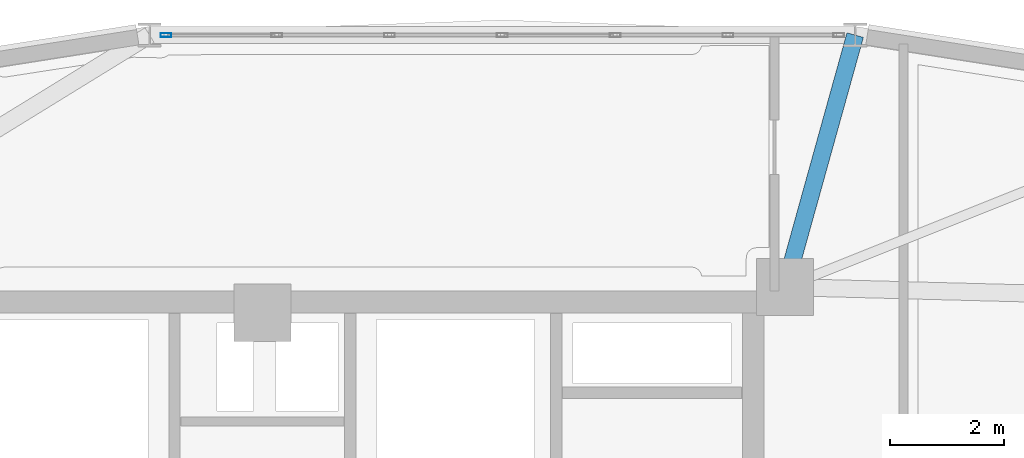
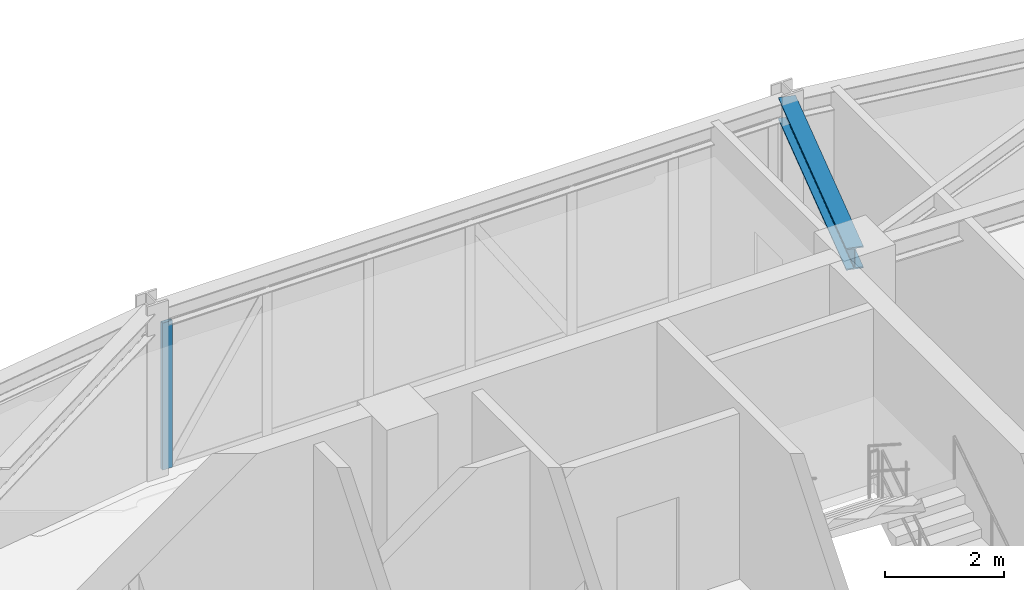
# One storey, part 8 of 19: 1 beam, 1 member, 1 element without a shape of its own.
"""IFC4 building model written with IfcOpenShell, lengths in metres."""

from ifc_helpers import new_model, si_unit, derived_unit, direction, frame, origin, origin_2d, place, context, subcontext, project, spatial, hollow_rectangle, i_section, extrude, source, transform, mapped, material, layer, layer_set, material_profile, profile_set, type_object, element, aggregate, save


model = new_model("IFC4")

# Units and contexts
model_context = context("Model", 3, precision=1e-05, world=origin(), true_north=direction((0.0, 1.0)))
body_context = subcontext(model_context, "Body", "Model", "MODEL_VIEW")
ifc_project = project(units=[si_unit("LENGTHUNIT", "METRE"), si_unit("AREAUNIT", "SQUARE_METRE"), si_unit("VOLUMEUNIT", "CUBIC_METRE"), si_unit("PLANEANGLEUNIT", "RADIAN"), si_unit("MASSUNIT", "GRAM", prefix="KILO"), derived_unit("THERMALTRANSMITTANCEUNIT", [(si_unit("POWERUNIT", "WATT"), 1), (si_unit("LENGTHUNIT", "METRE"), -2), (si_unit("THERMODYNAMICTEMPERATUREUNIT", "KELVIN"), -1)])], contexts=[model_context])

# Site, building, storey
site_placement = place(None, origin())
site = spatial("IfcSite", under=ifc_project, at=site_placement, CompositionType="ELEMENT")
building_placement = place(site_placement, origin())
building = spatial("IfcBuilding", under=site, at=building_placement, Name="Korsvarv Bourse and Concert Hall", CompositionType="ELEMENT")
storey_placement = place(building_placement, frame((0.0, 0.0, 205.800048828125)))
storey = spatial("IfcBuildingStorey", under=building, at=storey_placement, Name="L53", CompositionType="ELEMENT", Elevation=205.800048828125)

# Beam
ifc_material_1 = material(Name="Steel S355", Category="steel")
ifc_material_profile_1 = material_profile(ifc_material_1, i_section(OverallWidth=0.300048828125, OverallDepth=0.449951171875, WebThickness=0.013916015625, FlangeThickness=0.02587890625, FilletRadius=0.02099609375, at=origin_2d()), Name="HEB 450")
ifc_profile_set_1 = profile_set([ifc_material_profile_1], Name="Steel S355")
beam_type = type_object("IfcBeamType", Name="BM-HEB450", PredefinedType="SPANDREL", material=ifc_profile_set_1)
shared_shape_1 = source(origin(), body_context, "Body", "SweptSolid", [
    extrude(i_section(OverallWidth=0.300048828125, OverallDepth=0.449951171875, WebThickness=0.013916015625, FlangeThickness=0.02587890625, FilletRadius=0.02099609375, at=origin_2d()), origin(), (0.0, 0.0, 1.0), 4.5791015625),
])
beam_placement = place(storey_placement, frame((46.376708984375, 51.66162109375, 3.18505859375), z_axis=(-0.267918841219, -0.963441484741, 0.0), x_axis=(0.963441484741, -0.267918841219, 0.0)))
element("IfcBeam", 1, at=beam_placement, inside=storey, type_object=beam_type, Name="L53 beam B-08", PredefinedType="SPANDREL", context=body_context, shape_type="MappedRepresentation", body=[
    mapped(shared_shape_1, transform((0.0, 0.0, 0.0), scale=1.0)),
])

# Curtain wall, member
ifc_material_2 = material(Name="Anodised aluminium and triple low-E glazing", Category="glass")
ifc_layer = layer(ifc_material_2, 0.199951171875)
ifc_layer_set = layer_set([ifc_layer], Name="Anodised aluminium and triple low-E glazing")
curtain_wall_type = type_object("IfcCurtainWallType", Name="CW-SYS-3", PredefinedType="NOTDEFINED", material=ifc_layer_set)
curtain_wall_placement = place(storey_placement, origin())
curtain_wall = element("IfcCurtainWall", 2, at=curtain_wall_placement, inside=storey, type_object=curtain_wall_type, Name="L53 CW3 curtain wall CW-L53-F03", PredefinedType="NOTDEFINED")
ifc_material_3 = material(Name="Extruded aluminium EN AW-6063 T66", Category="aluminium")
ifc_material_profile_2 = material_profile(ifc_material_3, hollow_rectangle(XDim=0.070068359375, YDim=0.18994140625, WallThickness=0.0048828125, at=origin_2d()), Name="ALU-M 70x190")
ifc_profile_set_2 = profile_set([ifc_material_profile_2], Name="Extruded aluminium EN AW-6063 T66")
member_type = type_object("IfcMemberType", Name="CWM-190", PredefinedType="MULLION", material=ifc_profile_set_2)
shared_shape_2 = source(origin(), body_context, "Body", "SweptSolid", [
    extrude(hollow_rectangle(XDim=0.070068359375, YDim=0.18994140625, WallThickness=0.0048828125, at=origin_2d()), origin(), (0.0, 0.0, 1.0), 3.02001953125),
])
member_placement = place(storey_placement, frame((34.311279296875, 51.66162109375, 0.0), z_axis=(0.0, 0.0, 1.0), x_axis=(0.0, -1.0, 0.0)))
member = element("IfcMember", 3, at=member_placement, type_object=member_type, Name="CW3 mullion 7", PredefinedType="MULLION", context=body_context, shape_type="MappedRepresentation", body=[
    mapped(shared_shape_2, transform((0.0, 0.0, 0.0), scale=1.0)),
])
aggregate(curtain_wall, [member])

save(model, "model.ifc")
